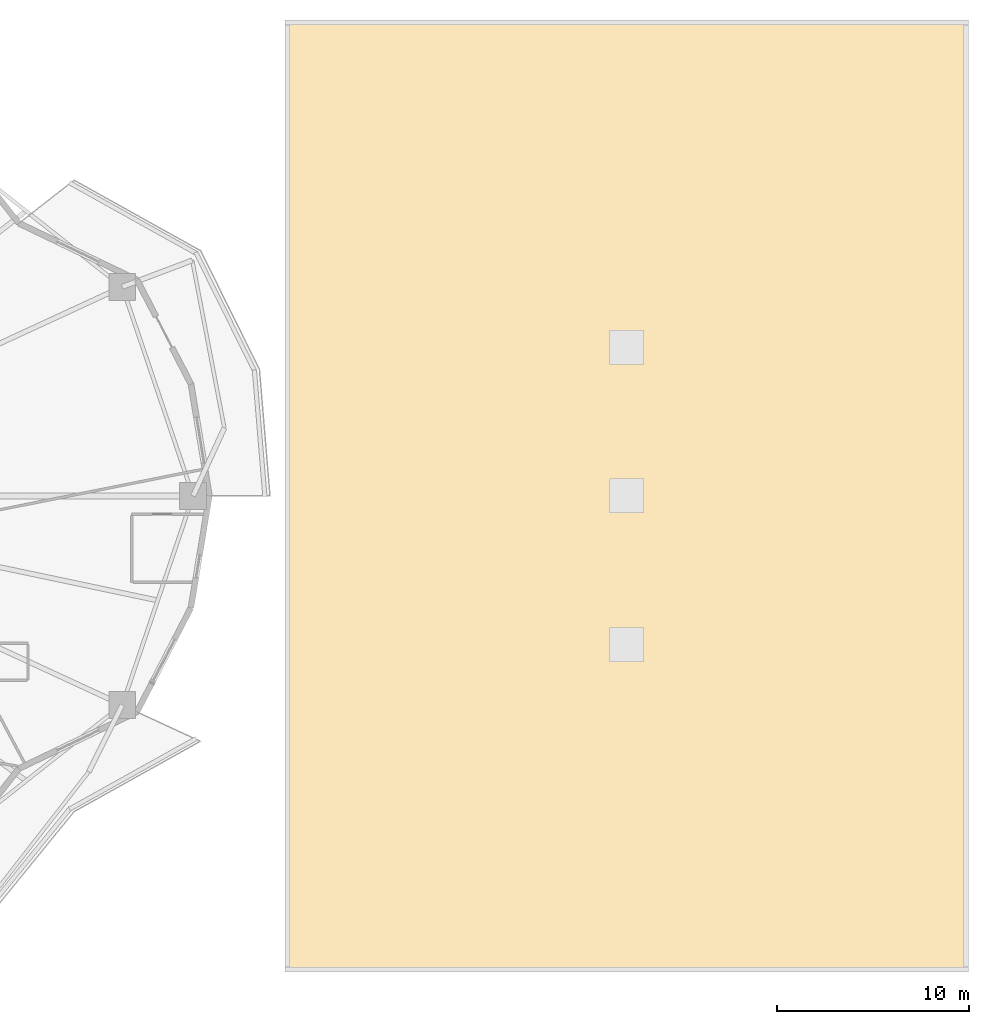
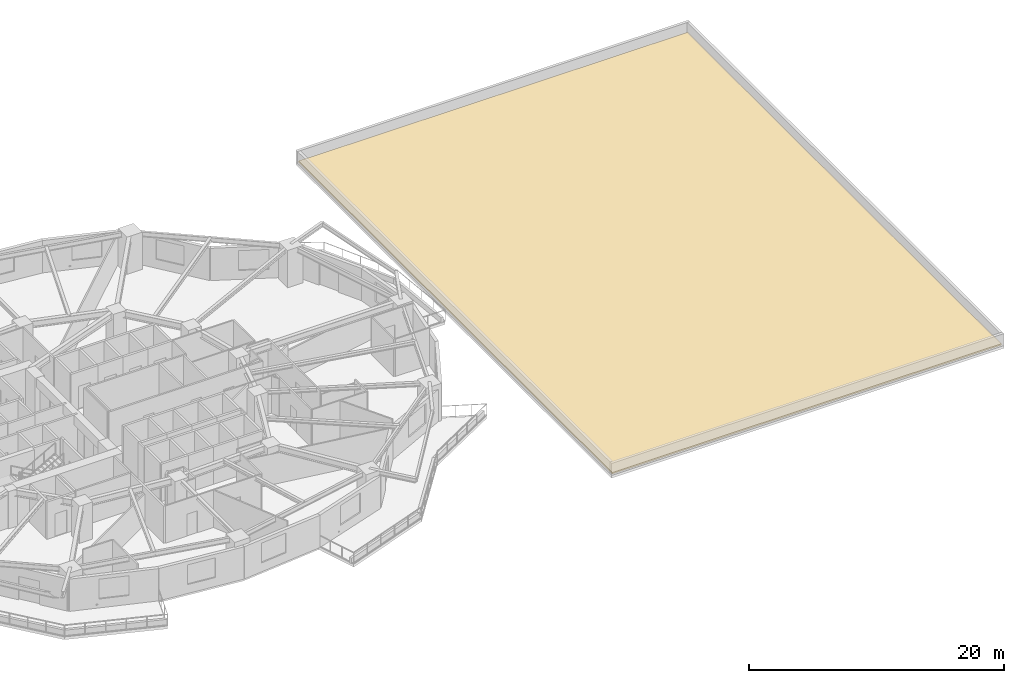
# One storey, part 13 of 13: 1 covering.
"""IFC4 building model written with IfcOpenShell, lengths in metres."""

from ifc_helpers import new_model, si_unit, direction, frame, origin, place, context, subcontext, project, spatial, polyline, outline, extrude, material, layer, layer_set, type_object, element, save


model = new_model("IFC4")

# Units and contexts
model_context = context("Model", 3, precision=1e-05, world=origin(), true_north=direction((0.0, 1.0)))
body_context = subcontext(model_context, "Body", "Model", "MODEL_VIEW")
ifc_project = project(units=[si_unit("LENGTHUNIT", "METRE"), si_unit("AREAUNIT", "SQUARE_METRE"), si_unit("VOLUMEUNIT", "CUBIC_METRE"), si_unit("PLANEANGLEUNIT", "RADIAN"), si_unit("MASSUNIT", "GRAM", prefix="KILO")], contexts=[model_context])

# Site, building, storey
site_placement = place(None, origin())
site = spatial("IfcSite", under=ifc_project, at=site_placement, CompositionType="ELEMENT")
building_placement = place(site_placement, origin())
building = spatial("IfcBuilding", under=site, at=building_placement, Name="Kolvaren Gate Tower and Convention Centre", CompositionType="ELEMENT")
storey_placement = place(building_placement, frame((0.0, 0.0, 26.5)))
storey = spatial("IfcBuildingStorey", under=building, at=storey_placement, Name="L05", CompositionType="ELEMENT", Elevation=26.5)

# Covering
ifc_material = material(Name="TPO Single-Ply Insulated Waterproofing Roof Membrane 140 mm", Category="membrane")
ifc_layer = layer(ifc_material, 0.139892578125)
ifc_layer_set = layer_set([ifc_layer], Name="TPO Single-Ply Insulated Waterproofing Roof Membrane 140 mm")
covering_type = type_object("IfcCoveringType", Name="ARCH-COV-ROOFING", PredefinedType="ROOFING", material=ifc_layer_set)
covering_placement = place(storey_placement, origin())
element("IfcCovering", 1, at=covering_placement, inside=storey, type_object=covering_type, Name="Convention Plenary Roof Waterproofing Membrane", PredefinedType="ROOFING", context=body_context, shape_type="SweptSolid", body=[
    extrude(outline(polyline([(62.35009765625, 2.35009765625), (97.64990234375, 2.35009765625), (97.64990234375, 51.64990234375), (62.35009765625, 51.64990234375), (62.35009765625, 2.35009765625)])), origin(), (0.0, 0.0, 1.0), 0.139892578125),
])

save(model, "model.ifc")
